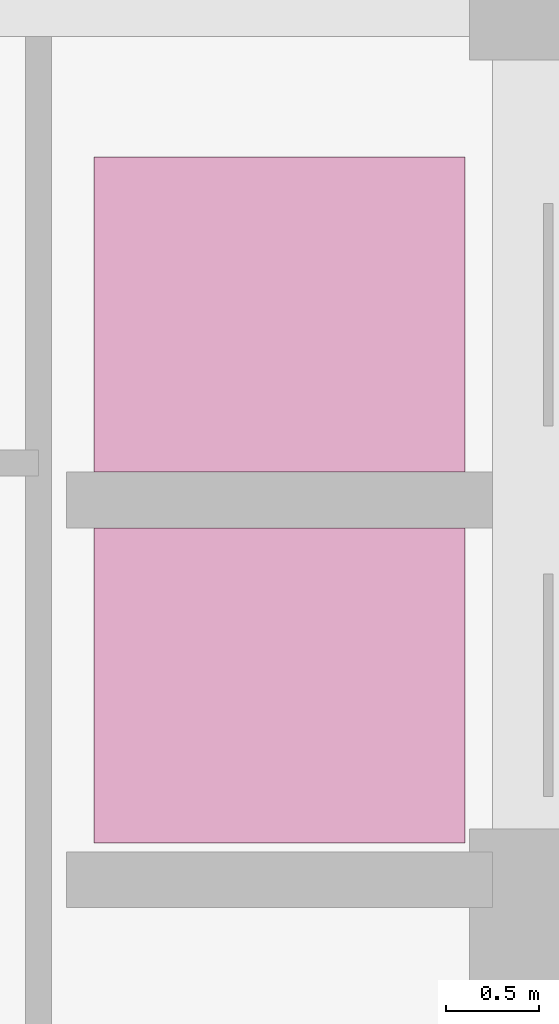
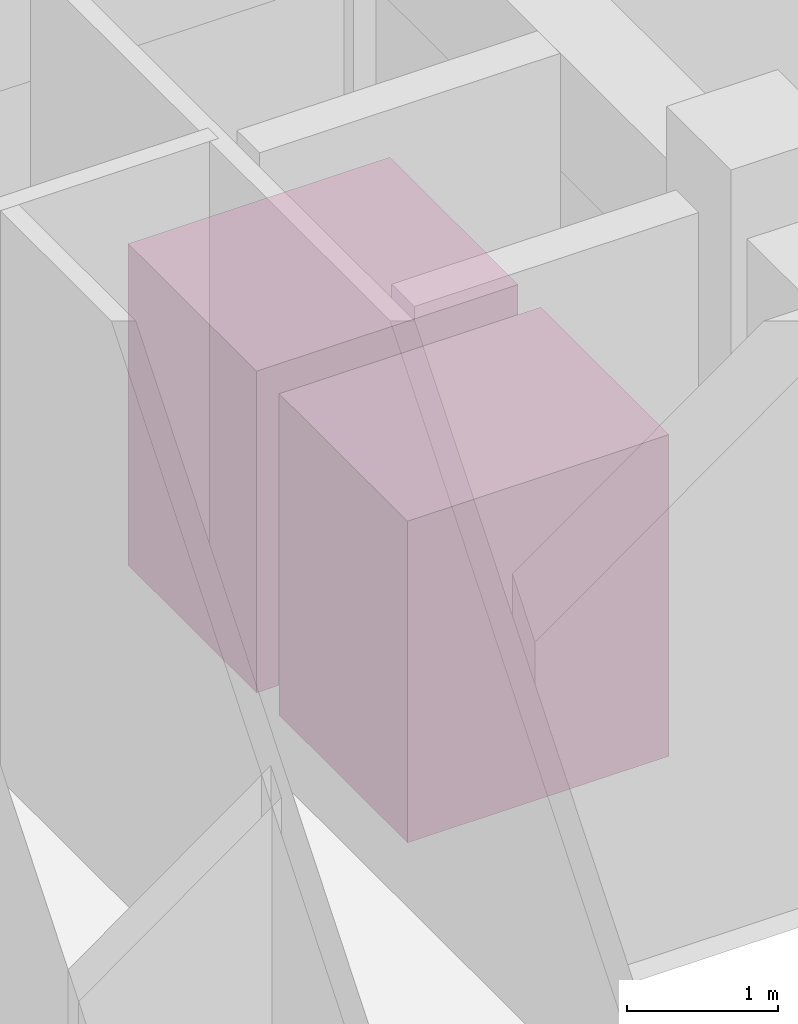
# One storey, part 33 of 33: 2 transport elements.
"""IFC4 building model written with IfcOpenShell, lengths in metres."""

from ifc_helpers import new_model, si_unit, direction, frame, origin, origin_2d, place, context, subcontext, project, spatial, rectangle, extrude, source, transform, mapped, material, type_object, element, save


model = new_model("IFC4")

# Units and contexts
model_context = context("Model", 3, precision=1e-05, world=origin(), true_north=direction((0.0, 1.0)))
body_context = subcontext(model_context, "Body", "Model", "MODEL_VIEW")
ifc_project = project(units=[si_unit("LENGTHUNIT", "METRE"), si_unit("AREAUNIT", "SQUARE_METRE"), si_unit("VOLUMEUNIT", "CUBIC_METRE"), si_unit("PLANEANGLEUNIT", "RADIAN"), si_unit("MASSUNIT", "GRAM", prefix="KILO")], contexts=[model_context])

# Site, building, storey
site_placement = place(None, origin())
site = spatial("IfcSite", under=ifc_project, at=site_placement, CompositionType="ELEMENT")
building_placement = place(site_placement, origin())
building = spatial("IfcBuilding", under=site, at=building_placement, Name="Khorayat Bourse Tower", CompositionType="ELEMENT")
storey_placement = place(building_placement, frame((0.0, 0.0, 263.10009765625)))
storey = spatial("IfcBuildingStorey", under=building, at=storey_placement, Name="L62", CompositionType="ELEMENT", Elevation=263.10009765625)

# Transport elements
ifc_material = material(Name="Brushed bronze elevator cab")
transport_element_type = type_object("IfcTransportElementType", Name="LFT-PASS-1600", PredefinedType="ELEVATOR", material=ifc_material)
shared_shape = source(origin(), body_context, "Body", "SweptSolid", [
    extrude(rectangle(XDim=2.0, YDim=1.699951171875, at=origin_2d()), origin(), (0.0, 0.0, 1.0), 2.60009765625),
])
for number, where, z_axis, x_axis, name in (
    (1, (9.550048828125, 7.199951171875, -0.000244140625), (0.0, 0.0, 1.0), (1.0, 0.0, 0.0), "Passenger Lift PL-H3 Car"),
    (2, (9.550048828125, 9.199951171875, -0.000244140625), (0.0, 0.0, 1.0), (1.0, 0.0, 0.0), "Passenger Lift PL-H4 Car"),
):
    element("IfcTransportElement", number, at=place(storey_placement, frame(where, z_axis=z_axis, x_axis=x_axis)), inside=storey, type_object=transport_element_type, Name=name, PredefinedType="ELEVATOR", context=body_context, shape_type="MappedRepresentation", body=[
        mapped(shared_shape, transform((0.0, 0.0, 0.0), scale=1.0)),
    ])

save(model, "model.ifc")
